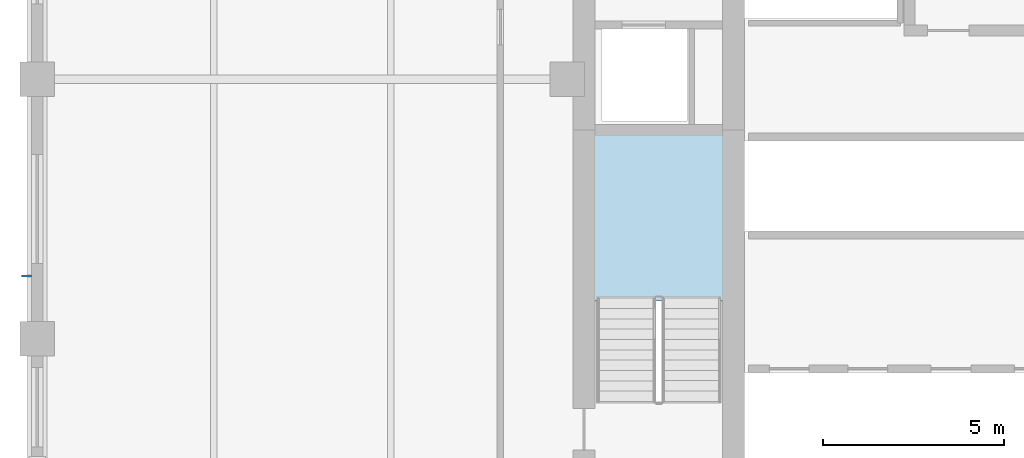
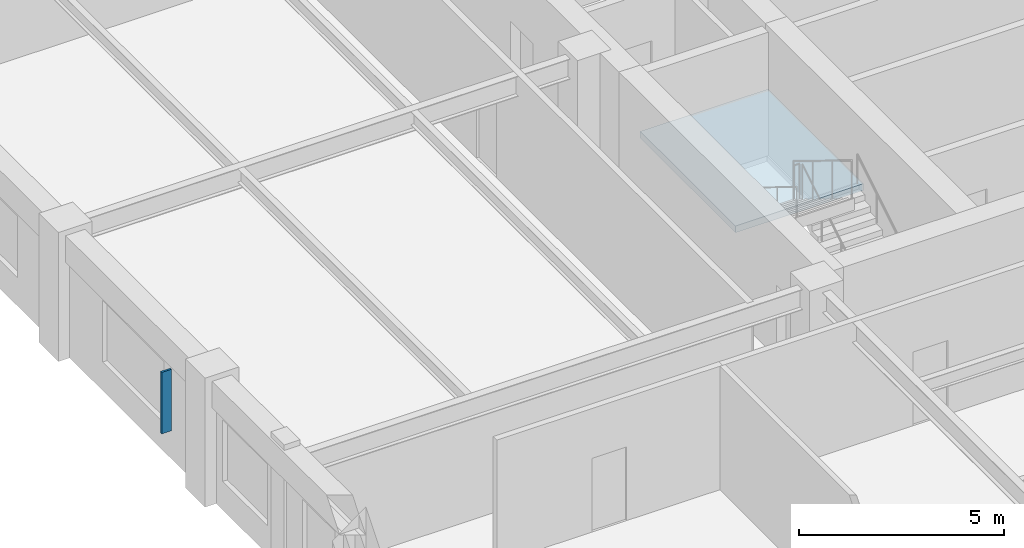
# One storey, part 2 of 9: 1 plate, 1 slab, 1 element without a shape of its own.
"""IFC4 building model written with IfcOpenShell, lengths in metres."""

from ifc_helpers import new_model, si_unit, direction, frame, origin, origin_2d, place, context, subcontext, project, spatial, polyline, rectangle, outline, extrude, material, layer, layer_set, type_object, element, aggregate, save


model = new_model("IFC4")

# Units and contexts
model_context = context("Model", 3, precision=1e-05, world=origin(), true_north=direction((0.0, 1.0)))
body_context = subcontext(model_context, "Body", "Model", "MODEL_VIEW")
ifc_project = project(units=[si_unit("LENGTHUNIT", "METRE"), si_unit("AREAUNIT", "SQUARE_METRE"), si_unit("VOLUMEUNIT", "CUBIC_METRE"), si_unit("PLANEANGLEUNIT", "RADIAN"), si_unit("MASSUNIT", "GRAM", prefix="KILO")], contexts=[model_context])

# Site, building, storey
site_placement = place(None, origin())
site = spatial("IfcSite", under=ifc_project, at=site_placement, CompositionType="ELEMENT")
building_placement = place(site_placement, origin())
building = spatial("IfcBuilding", under=site, at=building_placement, Name="Nhamokura Convention Tower", CompositionType="ELEMENT")
storey_placement = place(building_placement, frame((0.0, 0.0, 156.800048828125)))
storey = spatial("IfcBuildingStorey", under=building, at=storey_placement, Name="L38", CompositionType="ELEMENT", Elevation=156.800048828125)

# Plate
ifc_material_1 = material(Name="Anodised bronze aluminium AA6063-T6", Category="aluminium")
plate_type = type_object("IfcPlateType", Name="BronzeSolarFin_2", PredefinedType="USERDEFINED", material=ifc_material_1)
plate_placement = place(storey_placement, frame((5.699951171875, 26.566650390625, 0.849853515625), z_axis=(0.0, 0.0, 1.0), x_axis=(1.0, 0.0, 0.0)))
element("IfcPlate", 1, at=plate_placement, inside=storey, type_object=plate_type, Name="L38 Bronze Solar Shading Fin WEST 2", ObjectType="SOLAR_FIN", PredefinedType="USERDEFINED", context=body_context, shape_type="SweptSolid", body=[
    extrude(rectangle(XDim=0.280029296875, YDim=0.06005859375, at=origin_2d()), origin(), (0.0, 0.0, 1.0), 1.8349609375),
])

# Stair, slab
ifc_material_2 = material(Name="Concrete C40/50", Category="concrete")
stair_type = type_object("IfcStairType", Name="TowerCoreStair_1650", PredefinedType="HALF_TURN_STAIR", material=ifc_material_2)
stair_placement = place(storey_placement, origin())
stair = element("IfcStair", 2, at=stair_placement, inside=storey, type_object=stair_type, Name="L38 West Core Smokeproof Stair ST-01", PredefinedType="HALF_TURN_STAIR")
ifc_material_3 = material(Name="Concrete C40/50", Category="concrete")
ifc_layer = layer(ifc_material_3, 0.199951171875)
ifc_layer_set = layer_set([ifc_layer], Name="StairLandingSlab_200")
slab_type = type_object("IfcSlabType", Name="StairLandingSlab_200", PredefinedType="LANDING", material=ifc_layer_set)
slab_placement = place(storey_placement, frame((0.0, 0.0, 1.724853515625)))
slab = element("IfcSlab", 3, at=slab_placement, type_object=slab_type, Name="ST-01 landing 1", PredefinedType="LANDING", context=body_context, shape_type="SweptSolid", body=[
    extrude(outline(polyline([(24.97998046875, 25.8701171875), (24.97998046875, 30.530029296875), (21.3701171875, 30.530029296875), (21.3701171875, 25.8701171875), (24.97998046875, 25.8701171875)])), origin(), (0.0, 0.0, 1.0), 0.2001953125),
])
aggregate(stair, [slab])

save(model, "model.ifc")
